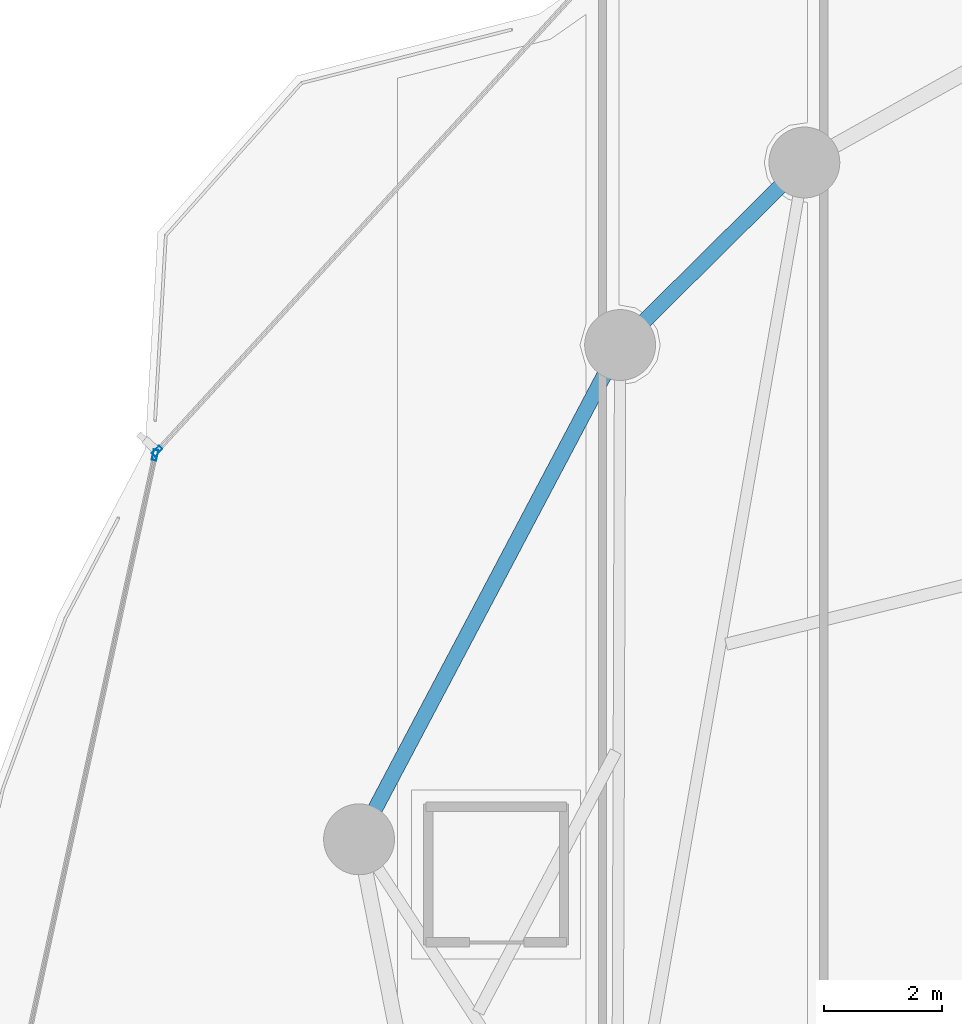
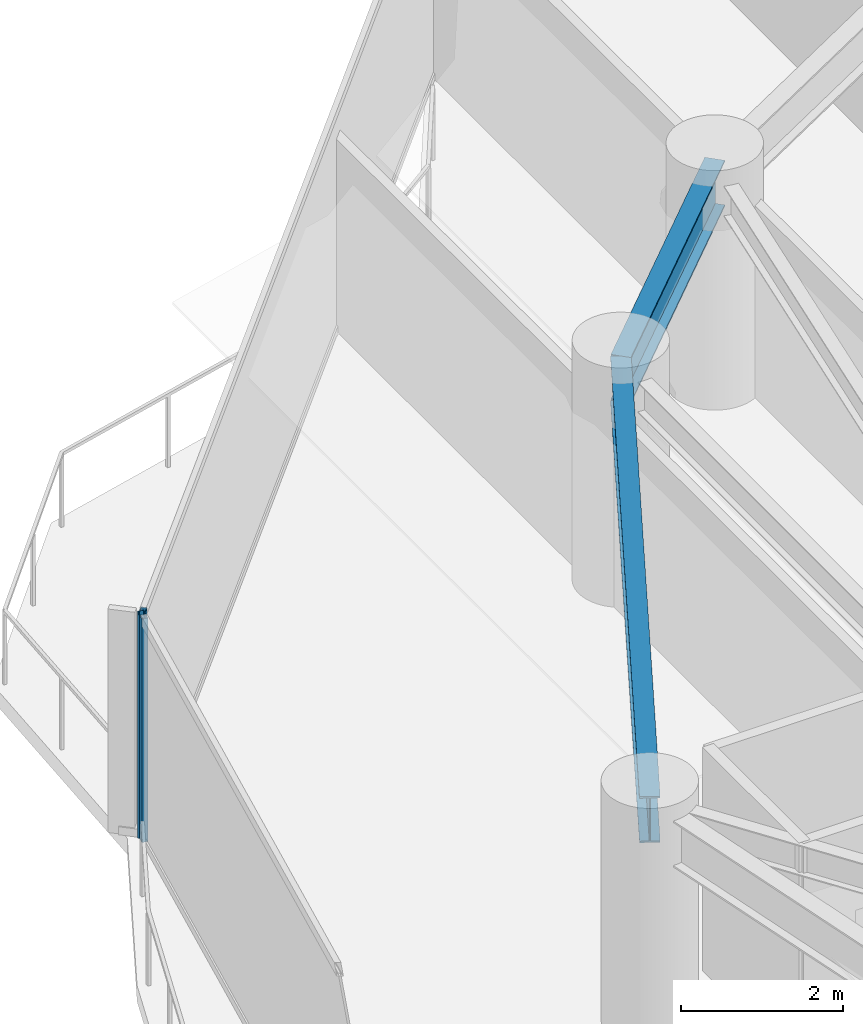
# One storey, part 17 of 34: 2 beams, 2 members, 2 elements without a shape of their own.
"""IFC4 building model written with IfcOpenShell, lengths in metres."""

from ifc_helpers import new_model, si_unit, direction, frame, origin, origin_2d, place, context, subcontext, project, spatial, hollow_rectangle, i_section, extrude, material, layer, layer_set, material_profile, profile_set, type_object, element, aggregate, save


model = new_model("IFC4")

# Units and contexts
model_context = context("Model", 3, precision=1e-05, world=origin(), true_north=direction((0.0, 1.0)))
body_context = subcontext(model_context, "Body", "Model", "MODEL_VIEW")
ifc_project = project(units=[si_unit("LENGTHUNIT", "METRE"), si_unit("AREAUNIT", "SQUARE_METRE"), si_unit("VOLUMEUNIT", "CUBIC_METRE"), si_unit("PLANEANGLEUNIT", "RADIAN"), si_unit("MASSUNIT", "GRAM", prefix="KILO")], contexts=[model_context])

# Site, building, storey
site_placement = place(None, origin())
site = spatial("IfcSite", under=ifc_project, at=site_placement, CompositionType="ELEMENT")
building_placement = place(site_placement, origin())
building = spatial("IfcBuilding", under=site, at=building_placement, Name="Kazevale Care Tower and Concert Hall", CompositionType="ELEMENT")
storey_placement = place(building_placement, frame((0.0, 0.0, 163.800048828125)))
storey = spatial("IfcBuildingStorey", under=building, at=storey_placement, Name="L43", CompositionType="ELEMENT", Elevation=163.800048828125)

# Curtain wall, member
ifc_material_1 = material(Name="Aluminium 6063-T6 and Low-E Glass", Category="aluminium")
ifc_layer_1 = layer(ifc_material_1, 0.179931640625)
ifc_layer_set_1 = layer_set([ifc_layer_1], Name="Aluminium 6063-T6 and Low-E Glass")
curtain_wall_type_1 = type_object("IfcCurtainWallType", Name="Convex Checkerboard Finned Curtain Wall CW-2", PredefinedType="NOTDEFINED", material=ifc_layer_set_1)
curtain_wall_1_placement = place(storey_placement, origin())
curtain_wall_1 = element("IfcCurtainWall", 1, at=curtain_wall_1_placement, inside=storey, type_object=curtain_wall_type_1, Name="cw:L43:f14", PredefinedType="NOTDEFINED")
ifc_material_2 = material(Name="Aluminium 6063-T6", Category="aluminium")
ifc_material_profile_1 = material_profile(ifc_material_2, hollow_rectangle(XDim=0.080078125, YDim=0.179931640625, WallThickness=0.0048828125, at=origin_2d()), Name="ALU80x180x5")
ifc_profile_set_1 = profile_set([ifc_material_profile_1], Name="Aluminium 6063-T6")
member_type_1 = type_object("IfcMemberType", Name="CW-2 Mullion ALU80x180x5", PredefinedType="MULLION", material=ifc_profile_set_1)
member_1_placement = place(storey_placement, frame((14.2109375, 49.694580078125, 0.0), z_axis=(0.0, 0.0, 1.0), x_axis=(-0.738491785899, 0.674262472751, 0.0)))
member_1 = element("IfcMember", 2, at=member_1_placement, type_object=member_type_1, Name="CW-2 mullion 1", PredefinedType="MULLION", context=body_context, shape_type="SweptSolid", body=[
    extrude(hollow_rectangle(XDim=0.080078125, YDim=0.179931640625, WallThickness=0.0048828125, at=origin_2d()), origin(), (0.0, 0.0, 1.0), 3.35986328125),
])
aggregate(curtain_wall_1, [member_1])

ifc_layer_2 = layer(ifc_material_1, 0.179931640625)
ifc_layer_set_2 = layer_set([ifc_layer_2], Name="Aluminium 6063-T6 and Low-E Glass")
curtain_wall_type_2 = type_object("IfcCurtainWallType", Name="Waist & Upper Residential Curtain Wall CW-4", PredefinedType="NOTDEFINED", material=ifc_layer_set_2)
curtain_wall_2_placement = place(storey_placement, origin())
curtain_wall_2 = element("IfcCurtainWall", 3, at=curtain_wall_2_placement, inside=storey, type_object=curtain_wall_type_2, Name="cw:L43:f13", PredefinedType="NOTDEFINED")
ifc_material_profile_2 = material_profile(ifc_material_2, hollow_rectangle(XDim=0.080078125, YDim=0.179931640625, WallThickness=0.0048828125, at=origin_2d()), Name="ALU80x180x5")
ifc_profile_set_2 = profile_set([ifc_material_profile_2], Name="Aluminium 6063-T6")
member_type_2 = type_object("IfcMemberType", Name="CW-4 Mullion ALU80x180x5", PredefinedType="MULLION", material=ifc_profile_set_2)
member_2_placement = place(storey_placement, frame((14.175537109375, 49.6259765625, 0.0), z_axis=(0.0, 0.0, 1.0), x_axis=(-0.977090755849, 0.21282305992, 0.0)))
member_2 = element("IfcMember", 4, at=member_2_placement, type_object=member_type_2, Name="CW-4 mullion 2", PredefinedType="MULLION", context=body_context, shape_type="SweptSolid", body=[
    extrude(hollow_rectangle(XDim=0.080078125, YDim=0.179931640625, WallThickness=0.0048828125, at=origin_2d()), origin(), (0.0, 0.0, 1.0), 3.35986328125),
])
aggregate(curtain_wall_2, [member_2])

# Beams
ifc_material_3 = material(Name="Steel ASTM A572 Gr 50", Category="steel")
ifc_material_profile_3 = material_profile(ifc_material_3, i_section(OverallWidth=0.256103515625, OverallDepth=0.693115234375, WebThickness=0.014404296875, FlangeThickness=0.023681640625, at=origin_2d()), Name="W690x170")
ifc_profile_set_3 = profile_set([ifc_material_profile_3], Name="Steel ASTM A572 Gr 50")
beam_type = type_object("IfcBeamType", Name="Waist Ring Beam W690x170", PredefinedType="BEAM", material=ifc_profile_set_3)
beam_1_placement = place(storey_placement, frame((25.169921875, 54.580078125, 3.013427734375), z_axis=(-0.710490141585, -0.703707154085, 0.0), x_axis=(0.703707154085, -0.710490141585, 0.0)))
element("IfcBeam", 5, at=beam_1_placement, inside=storey, type_object=beam_type, Name="beam:L43:ring:07", PredefinedType="BEAM", context=body_context, shape_type="SweptSolid", body=[
    extrude(i_section(OverallWidth=0.256103515625, OverallDepth=0.693115234375, WebThickness=0.014404296875, FlangeThickness=0.023681640625, at=origin_2d()), origin(), (0.0, 0.0, 1.0), 4.39111328125),
])
beam_2_placement = place(storey_placement, frame((22.050048828125, 51.489990234375, 3.013427734375), z_axis=(-0.466984438127, -0.884265533959, 0.0), x_axis=(0.884265533959, -0.466984438127, 0.0)))
element("IfcBeam", 6, at=beam_2_placement, inside=storey, type_object=beam_type, Name="beam:L43:ring:08", PredefinedType="BEAM", context=body_context, shape_type="SweptSolid", body=[
    extrude(i_section(OverallWidth=0.256103515625, OverallDepth=0.693115234375, WebThickness=0.014404296875, FlangeThickness=0.023681640625, at=origin_2d()), origin(), (0.0, 0.0, 1.0), 9.46533203125),
])

save(model, "model.ifc")
